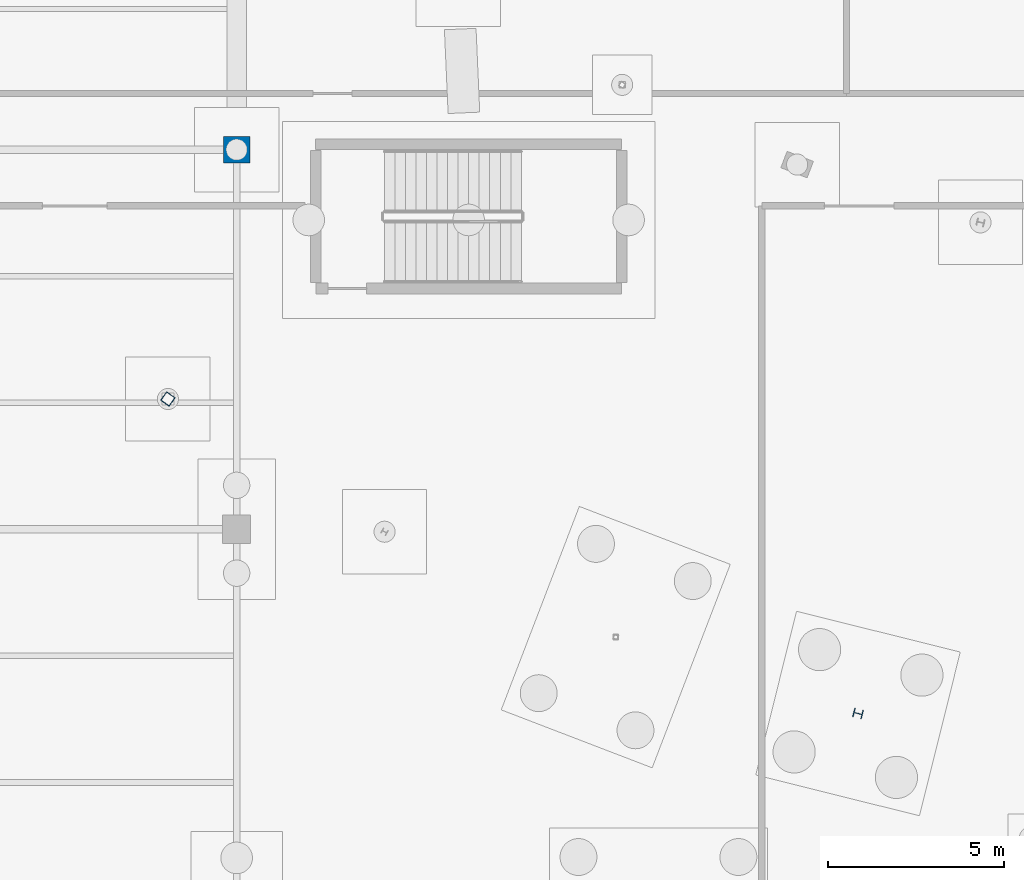
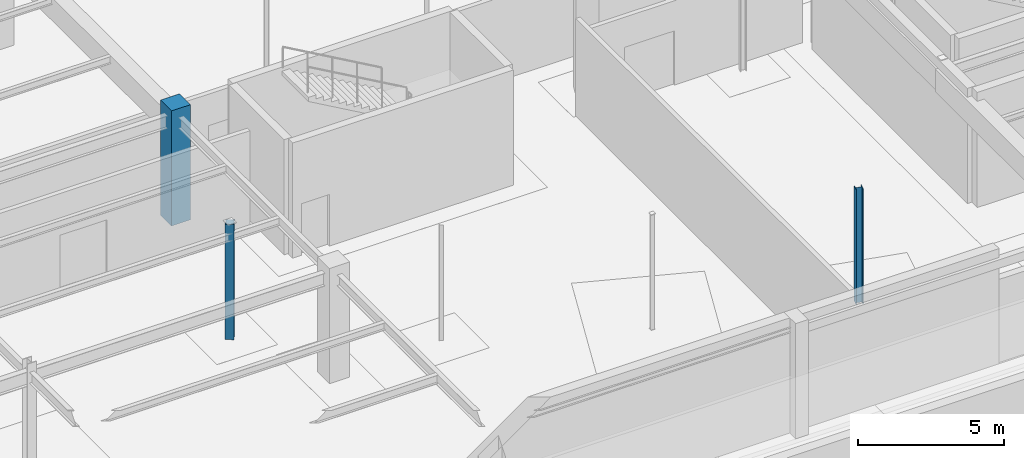
# One storey, part 19 of 136: 3 columns.
"""IFC4 building model written with IfcOpenShell, lengths in metres."""

from ifc_helpers import new_model, si_unit, direction, frame, origin, origin_2d, place, context, subcontext, project, spatial, rectangle, hollow_rectangle, i_section, extrude, material, material_profile, profile_set, type_object, element, save


model = new_model("IFC4")

# Units and contexts
model_context = context("Model", 3, precision=1e-05, world=origin(), true_north=direction((0.0, 1.0)))
body_context = subcontext(model_context, "Body", "Model", "MODEL_VIEW")
ifc_project = project(units=[si_unit("LENGTHUNIT", "METRE"), si_unit("AREAUNIT", "SQUARE_METRE"), si_unit("VOLUMEUNIT", "CUBIC_METRE"), si_unit("PLANEANGLEUNIT", "RADIAN"), si_unit("MASSUNIT", "GRAM", prefix="KILO")], contexts=[model_context])

# Site, building, storey
site_placement = place(None, origin())
site = spatial("IfcSite", under=ifc_project, at=site_placement, CompositionType="ELEMENT")
building_placement = place(site_placement, origin())
building = spatial("IfcBuilding", under=site, at=building_placement, Name="Tarnwether General Hospital", CompositionType="ELEMENT")
storey_placement = place(building_placement, frame((0.0, 0.0, -4.800048828125)))
storey = spatial("IfcBuildingStorey", under=building, at=storey_placement, Name="LG", CompositionType="ELEMENT", Elevation=-4.800048828125)

# Columns
ifc_material_1 = material(Name="Concrete 50 MPa", Category="concrete")
ifc_material_profile_1 = material_profile(ifc_material_1, rectangle(XDim=0.75, YDim=0.75, at=origin_2d()), Name="RC-COL-750x750")
ifc_profile_set_1 = profile_set([ifc_material_profile_1], Name="Concrete 50 MPa")
column_type_1 = type_object("IfcColumnType", Name="COL-17", PredefinedType="COLUMN", material=ifc_profile_set_1)
column_1_placement = place(storey_placement, frame((60.0, 21.60009765625, 0.0), z_axis=(0.0, 0.0, 1.0), x_axis=(0.0, 1.0, 0.0)))
element("IfcColumn", 1, at=column_1_placement, inside=storey, type_object=column_type_1, Name="Column COLG-LG-6000_2160", PredefinedType="COLUMN", context=body_context, shape_type="SweptSolid", body=[
    extrude(rectangle(XDim=0.75, YDim=0.75, at=origin_2d()), origin(), (0.0, 0.0, 1.0), 4.800048828125),
])
ifc_material_2 = material(Name="Steel Grade 350 (350 MPa)", Category="steel")
ifc_material_profile_2 = material_profile(ifc_material_2, i_section(OverallWidth=0.25390625, OverallDepth=0.25390625, WebThickness=0.008544921875, FlangeThickness=0.01416015625, at=origin_2d()), Name="250UC72.9")
ifc_profile_set_2 = profile_set([ifc_material_profile_2], Name="Steel Grade 350 (350 MPa)")
column_type_2 = type_object("IfcColumnType", Name="COL-24", PredefinedType="COLUMN", material=ifc_profile_set_2)
column_2_placement = place(storey_placement, frame((77.677978515625, 5.55810546875, 0.0), z_axis=(0.0, 0.0, 1.0), x_axis=(0.2419218956, 0.970295726276, 0.0)))
element("IfcColumn", 2, at=column_2_placement, inside=storey, type_object=column_type_2, Name="Column COLG-LG-7768_556", PredefinedType="COLUMN", context=body_context, shape_type="SweptSolid", body=[
    extrude(i_section(OverallWidth=0.25390625, OverallDepth=0.25390625, WebThickness=0.008544921875, FlangeThickness=0.01416015625, at=origin_2d()), origin(), (0.0, 0.0, 1.0), 4.800048828125),
])
ifc_material_3 = material(Name="Steel Grade C350L0 (350 MPa)", Category="steel")
ifc_material_profile_3 = material_profile(ifc_material_3, hollow_rectangle(XDim=0.300048828125, YDim=0.300048828125, WallThickness=0.012451171875, at=origin_2d()), Name="SHS300x300x12.5")
ifc_profile_set_3 = profile_set([ifc_material_profile_3], Name="Steel Grade C350L0 (350 MPa)")
column_type_3 = type_object("IfcColumnType", Name="COL-30", PredefinedType="COLUMN", material=ifc_profile_set_3)
column_3_placement = place(storey_placement, frame((58.0439453125, 14.506103515625, 0.0), z_axis=(0.0, 0.0, 1.0), x_axis=(0.573576436351, 0.819152044289, 0.0)))
element("IfcColumn", 3, at=column_3_placement, inside=storey, type_object=column_type_3, Name="Column COLG-LG-5804_1451", PredefinedType="COLUMN", context=body_context, shape_type="SweptSolid", body=[
    extrude(hollow_rectangle(XDim=0.300048828125, YDim=0.300048828125, WallThickness=0.012451171875, at=origin_2d()), origin(), (0.0, 0.0, 1.0), 4.800048828125),
])

save(model, "model.ifc")
